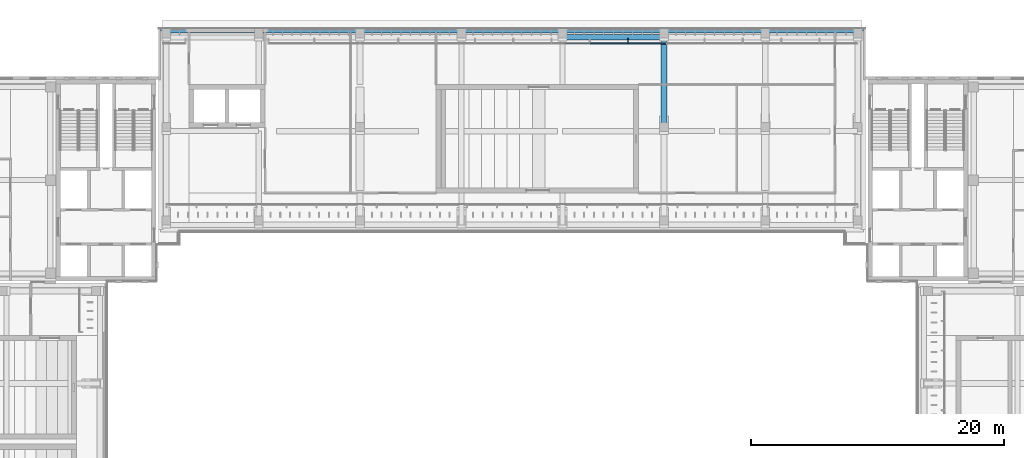
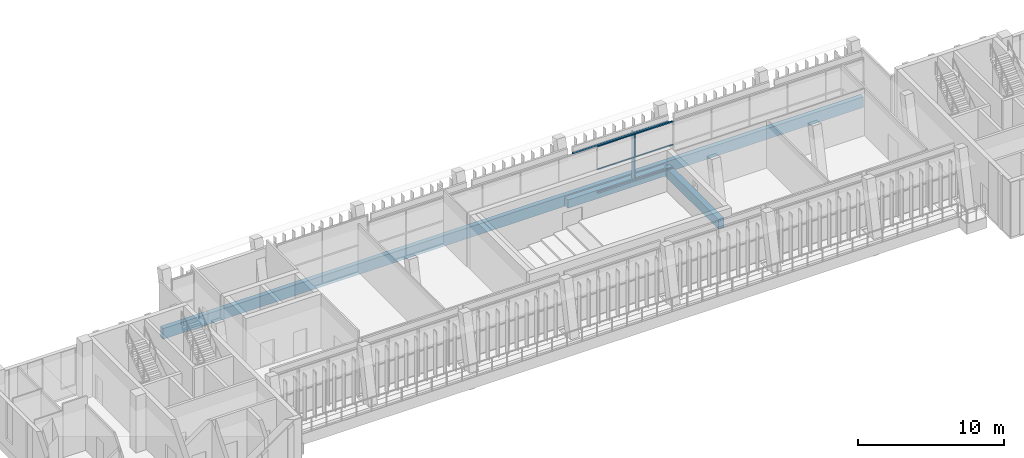
# One storey, part 28 of 74: 7 members, 4 beams, 1 element without a shape of its own.
"""IFC4 building model written with IfcOpenShell, lengths in metres."""

from ifc_helpers import new_model, si_unit, direction, frame, origin, origin_2d, place, context, subcontext, project, spatial, rectangle, hollow_rectangle, extrude, material, material_profile, profile_set, type_object, element, aggregate, save


model = new_model("IFC4")

# Units and contexts
model_context = context("Model", 3, precision=1e-05, world=origin(), true_north=direction((0.0, 1.0)))
body_context = subcontext(model_context, "Body", "Model", "MODEL_VIEW")
ifc_project = project(units=[si_unit("LENGTHUNIT", "METRE"), si_unit("AREAUNIT", "SQUARE_METRE"), si_unit("VOLUMEUNIT", "CUBIC_METRE"), si_unit("PLANEANGLEUNIT", "RADIAN"), si_unit("MASSUNIT", "GRAM", prefix="KILO")], contexts=[model_context])

# Site, building, storey
site_placement = place(None, origin())
site = spatial("IfcSite", under=ifc_project, at=site_placement, CompositionType="ELEMENT")
building_placement = place(site_placement, origin())
building = spatial("IfcBuilding", under=site, at=building_placement, Name="Lantern Court Media Centre", CompositionType="ELEMENT")
storey_placement = place(building_placement, frame((0.0, 0.0, 19.199951171875)))
storey = spatial("IfcBuildingStorey", under=building, at=storey_placement, Name="L04", CompositionType="ELEMENT", Elevation=19.199951171875)

# Curtain wall, members
ifc_material_1 = material(Name="Curtain wall bay 3000")
curtain_wall_type = type_object("IfcCurtainWallType", Name="Curtain wall bay 3000", PredefinedType="NOTDEFINED", material=ifc_material_1)
curtain_wall_placement = place(storey_placement, origin())
curtain_wall = element("IfcCurtainWall", 1, at=curtain_wall_placement, inside=storey, type_object=curtain_wall_type, Name="Curtain wall N outer L04", PredefinedType="NOTDEFINED")
ifc_material_2 = material(Name="Anodised aluminium", Category="aluminium")
ifc_material_profile_1 = material_profile(ifc_material_2, rectangle(XDim=0.449951171875, YDim=0.06005859375, at=origin_2d()), Name="AL 60x450")
ifc_profile_set_1 = profile_set([ifc_material_profile_1], Name="Anodised aluminium")
member_type_1 = type_object("IfcMemberType", Name="Curtain wall mullion 60x450", PredefinedType="MULLION", material=ifc_profile_set_1)
member_1_placement = place(storey_placement, frame((61.16162109375, 115.044921875, 0.0), z_axis=(0.0, 0.0, 1.0), x_axis=(0.0, 1.0, 0.0)))
member_1 = element("IfcMember", 2, at=member_1_placement, type_object=member_type_1, Name="CW1 mullion 8", PredefinedType="MULLION", context=body_context, shape_type="SweptSolid", body=[
    extrude(rectangle(XDim=0.449951171875, YDim=0.06005859375, at=origin_2d()), origin(), (0.0, 0.0, 1.0), 3.949951171875),
])
ifc_material_profile_2 = material_profile(ifc_material_2, rectangle(XDim=0.1201171875, YDim=0.06005859375, at=origin_2d()), Name="AL 60x120")
ifc_profile_set_2 = profile_set([ifc_material_profile_2], Name="Anodised aluminium")
member_type_2 = type_object("IfcMemberType", Name="Curtain wall transom 60x120", PredefinedType="USERDEFINED", material=ifc_profile_set_2)
member_2_placement = place(storey_placement, frame((58.16845703125, 114.85009765625, 0.030029296875), z_axis=(1.0, 0.0, 0.0), x_axis=(0.0, 1.0, 0.0)))
member_2 = element("IfcMember", 3, at=member_2_placement, type_object=member_type_2, Name="CW1 transom 7.1", ObjectType="TRANSOM", PredefinedType="USERDEFINED", context=body_context, shape_type="SweptSolid", body=[
    extrude(rectangle(XDim=0.1201171875, YDim=0.06005859375, at=origin_2d()), origin(), (0.0, 0.0, 1.0), 2.963134765625),
])
member_3_placement = place(storey_placement, frame((58.16845703125, 114.85009765625, 1.97509765625), z_axis=(1.0, 0.0, 0.0), x_axis=(0.0, 1.0, 0.0)))
member_3 = element("IfcMember", 4, at=member_3_placement, type_object=member_type_2, Name="CW1 transom 7.2", ObjectType="TRANSOM", PredefinedType="USERDEFINED", context=body_context, shape_type="SweptSolid", body=[
    extrude(rectangle(XDim=0.1201171875, YDim=0.06005859375, at=origin_2d()), origin(), (0.0, 0.0, 1.0), 2.963134765625),
])
member_4_placement = place(storey_placement, frame((58.16845703125, 114.85009765625, 3.920166015625), z_axis=(1.0, 0.0, 0.0), x_axis=(0.0, 1.0, 0.0)))
member_4 = element("IfcMember", 5, at=member_4_placement, type_object=member_type_2, Name="CW1 transom 7.3", ObjectType="TRANSOM", PredefinedType="USERDEFINED", context=body_context, shape_type="SweptSolid", body=[
    extrude(rectangle(XDim=0.1201171875, YDim=0.06005859375, at=origin_2d()), origin(), (0.0, 0.0, 1.0), 2.963134765625),
])
member_5_placement = place(storey_placement, frame((61.191650390625, 114.85009765625, 0.030029296875), z_axis=(1.0, 0.0, 0.0), x_axis=(0.0, 1.0, 0.0)))
member_5 = element("IfcMember", 6, at=member_5_placement, type_object=member_type_2, Name="CW1 transom 8.1", ObjectType="TRANSOM", PredefinedType="USERDEFINED", context=body_context, shape_type="SweptSolid", body=[
    extrude(rectangle(XDim=0.1201171875, YDim=0.06005859375, at=origin_2d()), origin(), (0.0, 0.0, 1.0), 2.962890625),
])
member_6_placement = place(storey_placement, frame((61.191650390625, 114.85009765625, 1.97509765625), z_axis=(1.0, 0.0, 0.0), x_axis=(0.0, 1.0, 0.0)))
member_6 = element("IfcMember", 7, at=member_6_placement, type_object=member_type_2, Name="CW1 transom 8.2", ObjectType="TRANSOM", PredefinedType="USERDEFINED", context=body_context, shape_type="SweptSolid", body=[
    extrude(rectangle(XDim=0.1201171875, YDim=0.06005859375, at=origin_2d()), origin(), (0.0, 0.0, 1.0), 2.962890625),
])
member_7_placement = place(storey_placement, frame((61.191650390625, 114.85009765625, 3.920166015625), z_axis=(1.0, 0.0, 0.0), x_axis=(0.0, 1.0, 0.0)))
member_7 = element("IfcMember", 8, at=member_7_placement, type_object=member_type_2, Name="CW1 transom 8.3", ObjectType="TRANSOM", PredefinedType="USERDEFINED", context=body_context, shape_type="SweptSolid", body=[
    extrude(rectangle(XDim=0.1201171875, YDim=0.06005859375, at=origin_2d()), origin(), (0.0, 0.0, 1.0), 2.962890625),
])
aggregate(curtain_wall, [member_1, member_2, member_3, member_4, member_5, member_6, member_7])

# Beams
ifc_material_3 = material(Name="Steel S355J2 (EN 10025-2)", Category="steel")
ifc_material_profile_3 = material_profile(ifc_material_3, hollow_rectangle(XDim=0.10009765625, YDim=0.14990234375, WallThickness=0.00634765625, InnerFilletRadius=0.00634765625, OuterFilletRadius=0.009521484375, at=origin_2d()), Name="Facade head lintel RHS 150x100x6.3")
ifc_profile_set_3 = profile_set([ifc_material_profile_3], Name="Steel S355J2 (EN 10025-2)")
beam_type_1 = type_object("IfcBeamType", Name="Facade head lintel RHS 150x100x6.3", PredefinedType="BEAM", material=ifc_profile_set_3)
beam_1_placement = place(storey_placement, frame((56.199951171875, 114.85009765625, 4.025146484375), z_axis=(1.0, 0.0, 0.0), x_axis=(0.0, 1.0, 0.0)))
element("IfcBeam", 9, at=beam_1_placement, inside=storey, type_object=beam_type_1, Name="Facade head lintel N L04", PredefinedType="BEAM", context=body_context, shape_type="SweptSolid", body=[
    extrude(hollow_rectangle(XDim=0.10009765625, YDim=0.14990234375, WallThickness=0.00634765625, InnerFilletRadius=0.00634765625, OuterFilletRadius=0.009521484375, at=origin_2d()), origin(), (0.0, 0.0, 1.0), 7.60009765625),
])
ifc_material_4 = material(Name="Concrete C35", Category="concrete")
ifc_material_profile_4 = material_profile(ifc_material_4, rectangle(XDim=0.35009765625, YDim=0.89990234375, at=origin_2d()), Name="RC 350x900")
ifc_profile_set_4 = profile_set([ifc_material_profile_4], Name="Concrete C35")
beam_type_2 = type_object("IfcBeamType", Name="RC BEAM 350x900", PredefinedType="BEAM", material=ifc_profile_set_4)
beam_2_placement = place(storey_placement, frame((24.25, 115.85009765625, -0.449951171875), z_axis=(1.0, 0.0, 0.0), x_axis=(0.0, 1.0, 0.0)))
element("IfcBeam", 10, at=beam_2_placement, inside=storey, type_object=beam_type_2, Name="EB-N-L04-B", PredefinedType="BEAM", context=body_context, shape_type="SweptSolid", body=[
    extrude(rectangle(XDim=0.35009765625, YDim=0.89990234375, at=origin_2d()), origin(), (0.0, 0.0, 1.0), 55.5),
])
ifc_material_profile_5 = material_profile(ifc_material_4, rectangle(XDim=0.449951171875, YDim=0.699951171875, at=origin_2d()), Name="RC 450x700")
ifc_profile_set_5 = profile_set([ifc_material_profile_5], Name="Concrete C35")
beam_type_3 = type_object("IfcBeamType", Name="RC BEAM 450x700", PredefinedType="BEAM", material=ifc_profile_set_5)
beam_3_placement = place(storey_placement, frame((56.0, 115.3271484375, -0.349853515625), z_axis=(1.0, 0.0, 0.0), x_axis=(0.0, 1.0, 0.0)))
element("IfcBeam", 11, at=beam_3_placement, inside=storey, type_object=beam_type_3, Name="LB-N-L04-2-4", PredefinedType="BEAM", context=body_context, shape_type="SweptSolid", body=[
    extrude(rectangle(XDim=0.449951171875, YDim=0.699951171875, at=origin_2d()), origin(), (0.0, 0.0, 1.0), 8.0),
])
ifc_material_profile_6 = material_profile(ifc_material_4, rectangle(XDim=0.449951171875, YDim=0.800048828125, at=origin_2d()), Name="RC 450x800")
ifc_profile_set_6 = profile_set([ifc_material_profile_6], Name="Concrete C35")
beam_type_4 = type_object("IfcBeamType", Name="RC BEAM 450x800", PredefinedType="BEAM", material=ifc_profile_set_6)
beam_4_placement = place(storey_placement, frame((64.0, 107.916748046875, -0.39990234375), z_axis=(0.0, 1.0, 0.0), x_axis=(-1.0, 0.0, 0.0)))
element("IfcBeam", 12, at=beam_4_placement, inside=storey, type_object=beam_type_4, Name="TB-N-L04-5-2", PredefinedType="BEAM", context=body_context, shape_type="SweptSolid", body=[
    extrude(rectangle(XDim=0.449951171875, YDim=0.800048828125, at=origin_2d()), origin(), (0.0, 0.0, 1.0), 7.39990234375),
])

save(model, "model.ifc")
